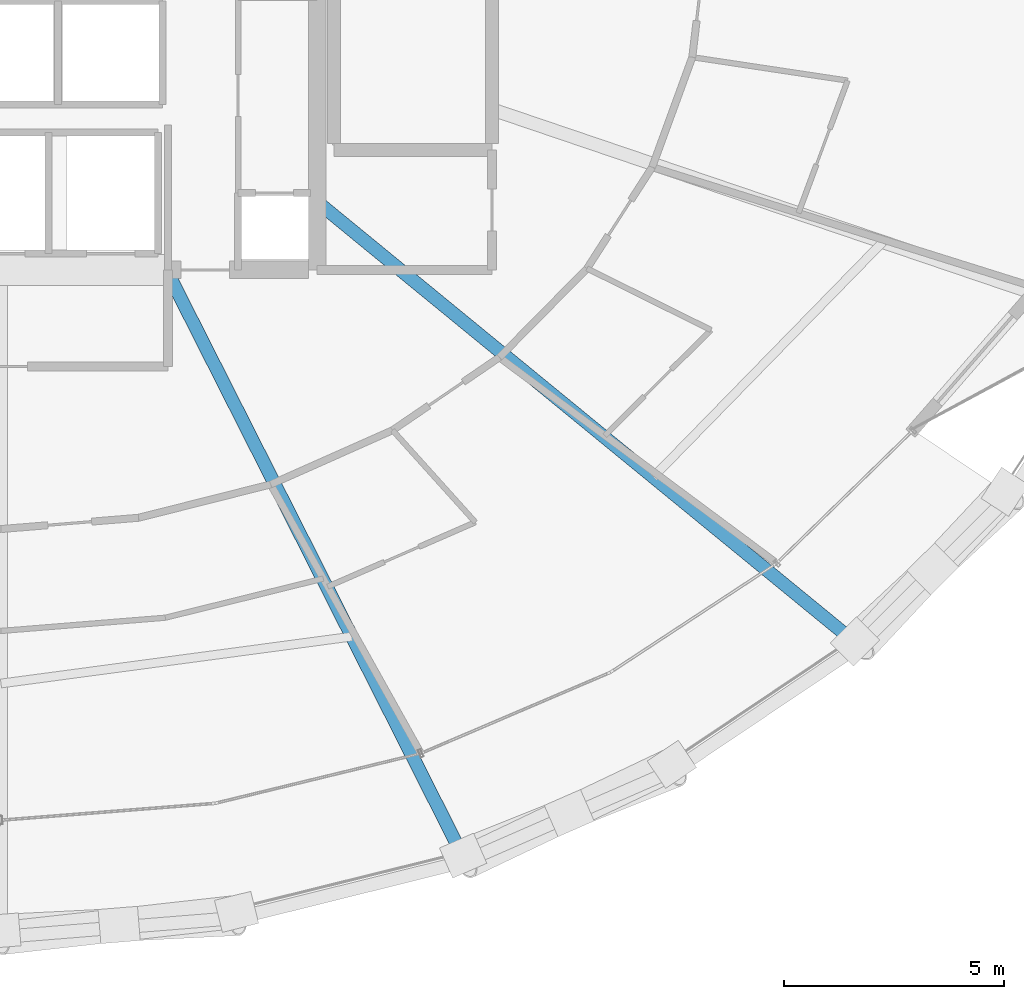
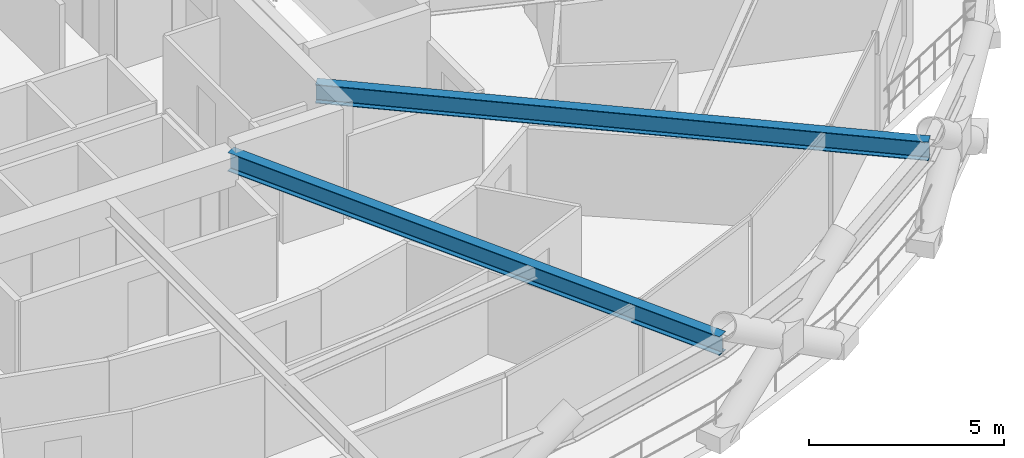
# One storey, part 7 of 17: 2 beams.
"""IFC4 building model written with IfcOpenShell, lengths in metres."""

from ifc_helpers import new_model, si_unit, direction, frame, origin, origin_2d, place, context, subcontext, project, spatial, i_section, extrude, material, material_profile, profile_set, type_object, element, save


model = new_model("IFC4")

# Units and contexts
model_context = context("Model", 3, precision=1e-05, world=origin(), true_north=direction((0.0, 1.0)))
body_context = subcontext(model_context, "Body", "Model", "MODEL_VIEW")
ifc_project = project(units=[si_unit("LENGTHUNIT", "METRE"), si_unit("AREAUNIT", "SQUARE_METRE"), si_unit("VOLUMEUNIT", "CUBIC_METRE"), si_unit("PLANEANGLEUNIT", "RADIAN"), si_unit("MASSUNIT", "GRAM", prefix="KILO")], contexts=[model_context])

# Site, building, storey
site_placement = place(None, origin())
site = spatial("IfcSite", under=ifc_project, at=site_placement, CompositionType="ELEMENT")
building_placement = place(site_placement, origin())
building = spatial("IfcBuilding", under=site, at=building_placement, Name="Veldorina Hangang Commons", CompositionType="ELEMENT")
storey_placement = place(building_placement, frame((0.0, 0.0, 30.39990234375)))
storey = spatial("IfcBuildingStorey", under=building, at=storey_placement, Name="L06", CompositionType="ELEMENT", Elevation=30.39990234375)

# Beams
ifc_material = material(Name="Steel SM460-TMC", Category="steel")
ifc_material_profile = material_profile(ifc_material, i_section(OverallWidth=0.300048828125, OverallDepth=0.587890625, WebThickness=0.011962890625, FlangeThickness=0.02001953125, FilletRadius=0.01806640625, at=origin_2d()), Name="H-588x300x12x20")
ifc_profile_set = profile_set([ifc_material_profile], Name="Steel SM460-TMC")
beam_type = type_object("IfcBeamType", Name="BM-FG588", PredefinedType="BEAM", material=ifc_profile_set)
beam_1_placement = place(storey_placement, frame((35.767333984375, 16.550048828125, 3.046142578125), z_axis=(0.451279589077, -0.89238261552, 0.0), x_axis=(0.89238261552, 0.451279589077, 0.0)))
element("IfcBeam", 1, at=beam_1_placement, inside=storey, type_object=beam_type, Name="L06 radial floor girder 14", PredefinedType="BEAM", context=body_context, shape_type="SweptSolid", body=[
    extrude(i_section(OverallWidth=0.300048828125, OverallDepth=0.587890625, WebThickness=0.011962890625, FlangeThickness=0.02001953125, FilletRadius=0.01806640625, at=origin_2d()), origin(), (0.0, 0.0, 1.0), 15.090087890625),
])
beam_2_placement = place(storey_placement, frame((39.199951171875, 18.1025390625, 3.046142578125), z_axis=(0.773611564766, -0.633660119354, 0.0), x_axis=(0.633660119354, 0.773611564766, 0.0)))
element("IfcBeam", 2, at=beam_2_placement, inside=storey, type_object=beam_type, Name="L06 radial floor girder 15", PredefinedType="BEAM", context=body_context, shape_type="SweptSolid", body=[
    extrude(i_section(OverallWidth=0.300048828125, OverallDepth=0.587890625, WebThickness=0.011962890625, FlangeThickness=0.02001953125, FilletRadius=0.01806640625, at=origin_2d()), origin(), (0.0, 0.0, 1.0), 15.95654296875),
])

save(model, "model.ifc")
